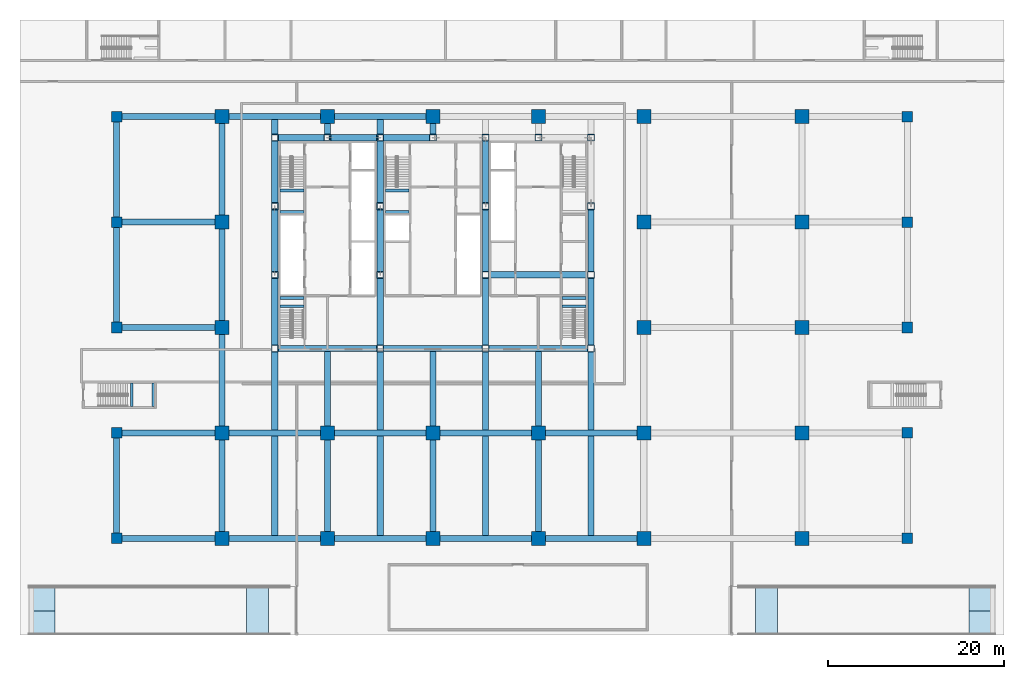
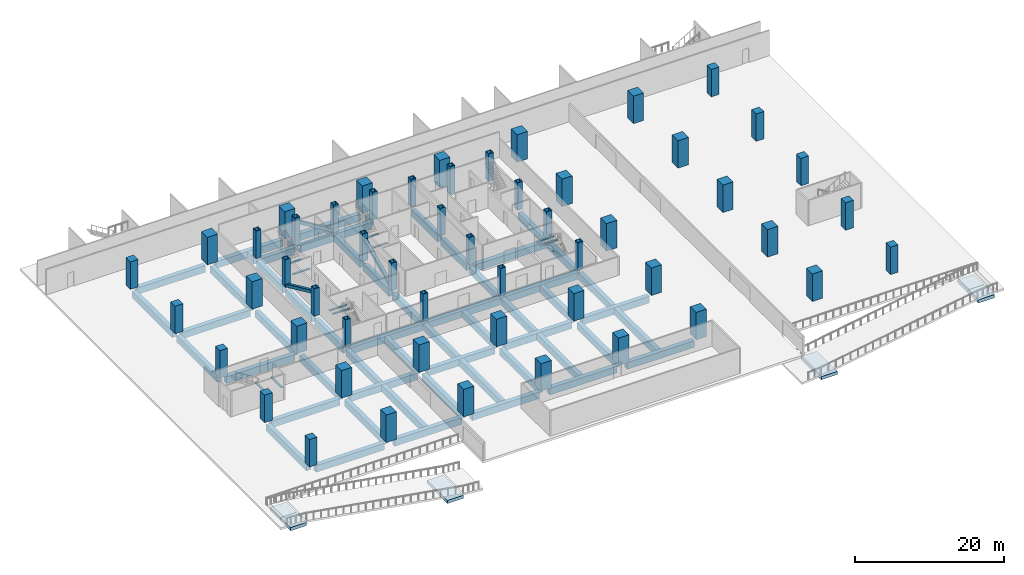
# One storey, part 1 of 15: 68 beams, 53 columns, 6 footings, 3 members.
"""IFC4 building model written with IfcOpenShell, lengths in metres."""

from ifc_helpers import new_model, si_unit, direction, frame, origin, origin_2d, place, context, subcontext, project, spatial, polyline, rectangle, hollow_rectangle, outline, extrude, material, layer, layer_set, material_profile, profile_set, type_object, element, save


model = new_model("IFC4")

# Units and contexts
model_context = context("Model", 3, precision=1e-05, world=origin(), true_north=direction((0.0, 1.0)))
body_context = subcontext(model_context, "Body", "Model", "MODEL_VIEW")
ifc_project = project(units=[si_unit("LENGTHUNIT", "METRE"), si_unit("AREAUNIT", "SQUARE_METRE"), si_unit("VOLUMEUNIT", "CUBIC_METRE"), si_unit("PLANEANGLEUNIT", "RADIAN"), si_unit("MASSUNIT", "GRAM", prefix="KILO")], contexts=[model_context])

# Site, building, storey
site_placement = place(None, origin())
site = spatial("IfcSite", under=ifc_project, at=site_placement, CompositionType="ELEMENT")
building_placement = place(site_placement, origin())
building = spatial("IfcBuilding", under=site, at=building_placement, Name="Sorahane Residences", CompositionType="ELEMENT")
storey_placement = place(building_placement, frame((0.0, 0.0, -4.5)))
storey = spatial("IfcBuildingStorey", under=building, at=storey_placement, Name="B1", CompositionType="ELEMENT", Elevation=-4.5)

# Footings
ifc_material_1 = material(Name="Concrete C35", Category="concrete")
ifc_layer = layer(ifc_material_1, 0.5)
ifc_layer_set = layer_set([ifc_layer], Name="Ramp bearing strip 500 mm Concrete C35")
footing_type = type_object("IfcFootingType", Name="Ramp bearing strip 500 mm Concrete C35", PredefinedType="STRIP_FOOTING", material=ifc_layer_set)
footing_1_placement = place(storey_placement, frame((0.0, 0.0, -1.0)))
element("IfcFooting", 1, at=footing_1_placement, inside=storey, type_object=footing_type, Name="Ramp bearing strip", PredefinedType="STRIP_FOOTING", context=body_context, shape_type="SweptSolid", body=[
    extrude(outline(polyline([(85.0, -11.0), (87.5, -11.0), (87.5, -8.25), (85.0, -8.25), (85.0, -11.0)])), origin(), (0.0, 0.0, 1.0), 0.5),
])
footing_2_placement = place(storey_placement, frame((0.0, 0.0, -1.0)))
element("IfcFooting", 2, at=footing_2_placement, inside=storey, type_object=footing_type, Name="Ramp bearing strip", PredefinedType="STRIP_FOOTING", context=body_context, shape_type="SweptSolid", body=[
    extrude(outline(polyline([(85.0, -8.25), (87.5, -8.25), (87.5, -5.5), (85.0, -5.5), (85.0, -8.25)])), origin(), (0.0, 0.0, 1.0), 0.5),
])
footing_3_placement = place(storey_placement, frame((0.0, 0.0, -5.050048828125)))
element("IfcFooting", 3, at=footing_3_placement, inside=storey, type_object=footing_type, Name="Ramp bearing strip", PredefinedType="STRIP_FOOTING", context=body_context, shape_type="SweptSolid", body=[
    extrude(outline(polyline([(60.699951171875, -11.0), (63.199951171875, -11.0), (63.199951171875, -5.5), (60.699951171875, -5.5), (60.699951171875, -11.0)])), origin(), (0.0, 0.0, 1.0), 0.5),
])
footing_4_placement = place(storey_placement, frame((0.0, 0.0, -1.0)))
element("IfcFooting", 4, at=footing_4_placement, inside=storey, type_object=footing_type, Name="Ramp bearing strip", PredefinedType="STRIP_FOOTING", context=body_context, shape_type="SweptSolid", body=[
    extrude(outline(polyline([(-21.5, -11.0), (-19.0, -11.0), (-19.0, -8.25), (-21.5, -8.25), (-21.5, -11.0)])), origin(), (0.0, 0.0, 1.0), 0.5),
])
footing_5_placement = place(storey_placement, frame((0.0, 0.0, -1.0)))
element("IfcFooting", 5, at=footing_5_placement, inside=storey, type_object=footing_type, Name="Ramp bearing strip", PredefinedType="STRIP_FOOTING", context=body_context, shape_type="SweptSolid", body=[
    extrude(outline(polyline([(-21.5, -8.25), (-19.0, -8.25), (-19.0, -5.5), (-21.5, -5.5), (-21.5, -8.25)])), origin(), (0.0, 0.0, 1.0), 0.5),
])
footing_6_placement = place(storey_placement, frame((0.0, 0.0, -5.050048828125)))
element("IfcFooting", 6, at=footing_6_placement, inside=storey, type_object=footing_type, Name="Ramp bearing strip", PredefinedType="STRIP_FOOTING", context=body_context, shape_type="SweptSolid", body=[
    extrude(outline(polyline([(2.800048828125, -11.0), (5.300048828125, -11.0), (5.300048828125, -5.5), (2.800048828125, -5.5), (2.800048828125, -11.0)])), origin(), (0.0, 0.0, 1.0), 0.5),
])

# Columns
ifc_material_2 = material(Name="Concrete C60", Category="concrete")
ifc_material_profile_1 = material_profile(ifc_material_2, rectangle(XDim=1.199951171875, YDim=1.199951171875, at=origin_2d()), Name="1200x1200")
ifc_profile_set_1 = profile_set([ifc_material_profile_1], Name="Concrete C60")
column_type_1 = type_object("IfcColumnType", Name="RC column 1200 x 1200 Concrete C60", PredefinedType="COLUMN", material=ifc_profile_set_1)
for number, where, z_axis, x_axis, name in (
    (7, (-12.0, 0.0, 0.0), (0.0, 0.0, 1.0), (1.0, 0.0, 0.0), "Column B1 m12/0"),
    (8, (-12.0, 12.0, 0.0), (0.0, 0.0, 1.0), (1.0, 0.0, 0.0), "Column B1 m12/12"),
    (9, (-12.0, 24.0, 0.0), (0.0, 0.0, 1.0), (1.0, 0.0, 0.0), "Column B1 m12/24"),
    (10, (-12.0, 36.0, 0.0), (0.0, 0.0, 1.0), (1.0, 0.0, 0.0), "Column B1 m12/36"),
    (11, (-12.0, 48.0, 0.0), (0.0, 0.0, 1.0), (1.0, 0.0, 0.0), "Column B1 m12/48"),
    (12, (78.0, 0.0, 0.0), (0.0, 0.0, 1.0), (1.0, 0.0, 0.0), "Column B1 78/0"),
    (13, (78.0, 12.0, 0.0), (0.0, 0.0, 1.0), (1.0, 0.0, 0.0), "Column B1 78/12"),
    (14, (78.0, 24.0, 0.0), (0.0, 0.0, 1.0), (1.0, 0.0, 0.0), "Column B1 78/24"),
    (15, (78.0, 36.0, 0.0), (0.0, 0.0, 1.0), (1.0, 0.0, 0.0), "Column B1 78/36"),
    (16, (78.0, 48.0, 0.0), (0.0, 0.0, 1.0), (1.0, 0.0, 0.0), "Column B1 78/48"),
):
    element("IfcColumn", number, at=place(storey_placement, frame(where, z_axis=z_axis, x_axis=x_axis)), inside=storey, type_object=column_type_1, Name=name, PredefinedType="COLUMN", context=body_context, shape_type="SweptSolid", body=[
        extrude(rectangle(XDim=1.199951171875, YDim=1.199951171875, at=origin_2d()), origin(), (0.0, 0.0, 1.0), 4.5),
    ])
ifc_material_3 = material(Name="Concrete C60", Category="concrete")
ifc_material_profile_2 = material_profile(ifc_material_3, rectangle(XDim=1.60009765625, YDim=1.60009765625, at=origin_2d()), Name="1600x1600")
ifc_profile_set_2 = profile_set([ifc_material_profile_2], Name="Concrete C60")
column_type_2 = type_object("IfcColumnType", Name="RC column 1600 x 1600 Concrete C60", PredefinedType="COLUMN", material=ifc_profile_set_2)
for number, where, z_axis, x_axis, name in (
    (17, (0.0, 0.0, 0.0), (0.0, 0.0, 1.0), (1.0, 0.0, 0.0), "Column B1 0/0"),
    (18, (0.0, 12.0, 0.0), (0.0, 0.0, 1.0), (1.0, 0.0, 0.0), "Column B1 0/12"),
    (19, (0.0, 24.0, 0.0), (0.0, 0.0, 1.0), (1.0, 0.0, 0.0), "Column B1 0/24"),
    (20, (0.0, 36.0, 0.0), (0.0, 0.0, 1.0), (1.0, 0.0, 0.0), "Column B1 0/36"),
    (21, (0.0, 48.0, 0.0), (0.0, 0.0, 1.0), (1.0, 0.0, 0.0), "Column B1 0/48"),
    (22, (12.0, 0.0, 0.0), (0.0, 0.0, 1.0), (1.0, 0.0, 0.0), "Column B1 12/0"),
    (23, (12.0, 12.0, 0.0), (0.0, 0.0, 1.0), (1.0, 0.0, 0.0), "Column B1 12/12"),
    (24, (12.0, 48.0, 0.0), (0.0, 0.0, 1.0), (1.0, 0.0, 0.0), "Column B1 12/48"),
    (25, (24.0, 0.0, 0.0), (0.0, 0.0, 1.0), (1.0, 0.0, 0.0), "Column B1 24/0"),
    (26, (24.0, 12.0, 0.0), (0.0, 0.0, 1.0), (1.0, 0.0, 0.0), "Column B1 24/12"),
    (27, (24.0, 48.0, 0.0), (0.0, 0.0, 1.0), (1.0, 0.0, 0.0), "Column B1 24/48"),
    (28, (36.0, 0.0, 0.0), (0.0, 0.0, 1.0), (1.0, 0.0, 0.0), "Column B1 36/0"),
    (29, (36.0, 12.0, 0.0), (0.0, 0.0, 1.0), (1.0, 0.0, 0.0), "Column B1 36/12"),
    (30, (36.0, 48.0, 0.0), (0.0, 0.0, 1.0), (1.0, 0.0, 0.0), "Column B1 36/48"),
    (31, (48.0, 0.0, 0.0), (0.0, 0.0, 1.0), (1.0, 0.0, 0.0), "Column B1 48/0"),
    (32, (48.0, 12.0, 0.0), (0.0, 0.0, 1.0), (1.0, 0.0, 0.0), "Column B1 48/12"),
    (33, (48.0, 24.0, 0.0), (0.0, 0.0, 1.0), (1.0, 0.0, 0.0), "Column B1 48/24"),
    (34, (48.0, 36.0, 0.0), (0.0, 0.0, 1.0), (1.0, 0.0, 0.0), "Column B1 48/36"),
    (35, (48.0, 48.0, 0.0), (0.0, 0.0, 1.0), (1.0, 0.0, 0.0), "Column B1 48/48"),
    (36, (66.0, 0.0, 0.0), (0.0, 0.0, 1.0), (1.0, 0.0, 0.0), "Column B1 66/0"),
    (37, (66.0, 12.0, 0.0), (0.0, 0.0, 1.0), (1.0, 0.0, 0.0), "Column B1 66/12"),
    (38, (66.0, 24.0, 0.0), (0.0, 0.0, 1.0), (1.0, 0.0, 0.0), "Column B1 66/24"),
    (39, (66.0, 36.0, 0.0), (0.0, 0.0, 1.0), (1.0, 0.0, 0.0), "Column B1 66/36"),
    (40, (66.0, 48.0, 0.0), (0.0, 0.0, 1.0), (1.0, 0.0, 0.0), "Column B1 66/48"),
):
    element("IfcColumn", number, at=place(storey_placement, frame(where, z_axis=z_axis, x_axis=x_axis)), inside=storey, type_object=column_type_2, Name=name, PredefinedType="COLUMN", context=body_context, shape_type="SweptSolid", body=[
        extrude(rectangle(XDim=1.60009765625, YDim=1.60009765625, at=origin_2d()), origin(), (0.0, 0.0, 1.0), 4.5),
    ])
ifc_material_4 = material(Name="Steel Q420GJ", Category="steel")
ifc_material_profile_3 = material_profile(ifc_material_4, hollow_rectangle(XDim=0.800048828125, YDim=0.800048828125, WallThickness=0.070068359375, at=origin_2d()), Name="BOX 800x800x70")
ifc_profile_set_3 = profile_set([ifc_material_profile_3], Name="Steel Q420GJ")
column_type_3 = type_object("IfcColumnType", Name="Steel box column BOX 800x800x70 Q420GJ", PredefinedType="COLUMN", material=ifc_profile_set_3)
for number, where, z_axis, x_axis, name in (
    (41, (6.0, 21.60009765625, 0.0), (0.0, 0.0, 1.0), (1.0, 0.0, 0.0), "Column B1 6/21.6"),
    (42, (6.0, 30.0, 0.0), (0.0, 0.0, 1.0), (1.0, 0.0, 0.0), "Column B1 6/30"),
    (43, (6.0, 37.800048828125, 0.0), (0.0, 0.0, 1.0), (1.0, 0.0, 0.0), "Column B1 6/37.8"),
    (44, (6.0, 45.60009765625, 0.0), (0.0, 0.0, 1.0), (1.0, 0.0, 0.0), "Column B1 6/45.6"),
    (45, (12.0, 45.60009765625, 0.0), (0.0, 0.0, 1.0), (1.0, 0.0, 0.0), "Column B1 12/45.6"),
    (46, (18.0, 21.60009765625, 0.0), (0.0, 0.0, 1.0), (1.0, 0.0, 0.0), "Column B1 18/21.6"),
    (47, (18.0, 30.0, 0.0), (0.0, 0.0, 1.0), (1.0, 0.0, 0.0), "Column B1 18/30"),
    (48, (18.0, 37.800048828125, 0.0), (0.0, 0.0, 1.0), (1.0, 0.0, 0.0), "Column B1 18/37.8"),
    (49, (18.0, 45.60009765625, 0.0), (0.0, 0.0, 1.0), (1.0, 0.0, 0.0), "Column B1 18/45.6"),
    (50, (24.0, 45.60009765625, 0.0), (0.0, 0.0, 1.0), (1.0, 0.0, 0.0), "Column B1 24/45.6"),
    (51, (30.0, 21.60009765625, 0.0), (0.0, 0.0, 1.0), (1.0, 0.0, 0.0), "Column B1 30/21.6"),
    (52, (30.0, 30.0, 0.0), (0.0, 0.0, 1.0), (1.0, 0.0, 0.0), "Column B1 30/30"),
    (53, (30.0, 37.800048828125, 0.0), (0.0, 0.0, 1.0), (1.0, 0.0, 0.0), "Column B1 30/37.8"),
    (54, (30.0, 45.60009765625, 0.0), (0.0, 0.0, 1.0), (1.0, 0.0, 0.0), "Column B1 30/45.6"),
    (55, (36.0, 45.60009765625, 0.0), (0.0, 0.0, 1.0), (1.0, 0.0, 0.0), "Column B1 36/45.6"),
    (56, (42.0, 21.60009765625, 0.0), (0.0, 0.0, 1.0), (1.0, 0.0, 0.0), "Column B1 42/21.6"),
    (57, (42.0, 30.0, 0.0), (0.0, 0.0, 1.0), (1.0, 0.0, 0.0), "Column B1 42/30"),
    (58, (42.0, 37.800048828125, 0.0), (0.0, 0.0, 1.0), (1.0, 0.0, 0.0), "Column B1 42/37.8"),
    (59, (42.0, 45.60009765625, 0.0), (0.0, 0.0, 1.0), (1.0, 0.0, 0.0), "Column B1 42/45.6"),
):
    element("IfcColumn", number, at=place(storey_placement, frame(where, z_axis=z_axis, x_axis=x_axis)), inside=storey, type_object=column_type_3, Name=name, PredefinedType="COLUMN", context=body_context, shape_type="SweptSolid", body=[
        extrude(hollow_rectangle(XDim=0.800048828125, YDim=0.800048828125, WallThickness=0.070068359375, at=origin_2d()), origin(), (0.0, 0.0, 1.0), 4.5),
    ])

# Members
ifc_material_5 = material(Name="Steel Q355B", Category="steel")
ifc_material_profile_4 = material_profile(ifc_material_5, hollow_rectangle(XDim=0.5, YDim=0.5, WallThickness=0.02490234375, InnerFilletRadius=0.012451171875, OuterFilletRadius=0.03759765625, at=origin_2d()), Name="RHS 500x500x25")
ifc_profile_set_4 = profile_set([ifc_material_profile_4], Name="Steel Q355B")
member_type = type_object("IfcMemberType", Name="Core brace RHS 500x500x25 Q355B", PredefinedType="BRACE", material=ifc_profile_set_4)
member_placement = place(storey_placement, frame((17.678466796875, 45.60009765625, 0.201904296875), z_axis=(-0.852399074137, 0.0, 0.522891784608), x_axis=(0.0, -1.0, 0.0)))
element("IfcMember", 60, at=member_placement, inside=storey, type_object=member_type, Name="Core brace B1 y45.6-2", PredefinedType="BRACE", context=body_context, shape_type="SweptSolid", body=[
    extrude(hollow_rectangle(XDim=0.5, YDim=0.5, WallThickness=0.02490234375, InnerFilletRadius=0.012451171875, OuterFilletRadius=0.03759765625, at=origin_2d()), origin(), (0.0, 0.0, 1.0), 6.284423828125),
])
for number, where, z_axis, x_axis, name in (
    (61, (6.0, 37.462158203125, 0.2216796875), (0.0, -0.909967717614, 0.41467909629), (1.0, 0.0, 0.0), "Core brace B1 x6-2"),
    (62, (18.0, 30.337890625, 0.2216796875), (0.0, 0.909967717614, 0.41467909629), (-1.0, 0.0, 0.0), "Core brace B1 x18-1"),
):
    element("IfcMember", number, at=place(storey_placement, frame(where, z_axis=z_axis, x_axis=x_axis)), inside=storey, type_object=member_type, Name=name, PredefinedType="BRACE", context=body_context, shape_type="SweptSolid", body=[
        extrude(hollow_rectangle(XDim=0.5, YDim=0.5, WallThickness=0.02490234375, InnerFilletRadius=0.012451171875, OuterFilletRadius=0.03759765625, at=origin_2d()), origin(), (0.0, 0.0, 1.0), 7.8291015625),
    ])

# Beams
ifc_material_6 = material(Name="Concrete C40", Category="concrete")
ifc_material_profile_5 = material_profile(ifc_material_6, rectangle(XDim=0.699951171875, YDim=1.10009765625, at=origin_2d()), Name="700x1100")
ifc_profile_set_5 = profile_set([ifc_material_profile_5], Name="Concrete C40")
beam_type_1 = type_object("IfcBeamType", Name="RC beam 700 x 1100 Concrete C40", PredefinedType="BEAM", material=ifc_profile_set_5)
beam_1_placement = place(storey_placement, frame((-11.39990234375, 0.0, -0.909912109375), z_axis=(1.0, 0.0, 0.0), x_axis=(0.0, 1.0, 0.0)))
element("IfcBeam", 63, at=beam_1_placement, inside=storey, type_object=beam_type_1, Name="Beam B1 000", PredefinedType="BEAM", context=body_context, shape_type="SweptSolid", body=[
    extrude(rectangle(XDim=0.699951171875, YDim=1.10009765625, at=origin_2d()), origin(), (0.0, 0.0, 1.0), 10.599853515625),
])
for number, where, z_axis, x_axis, name in (
    (64, (0.800048828125, 0.0, -0.909912109375), (1.0, 0.0, 0.0), (0.0, 1.0, 0.0), "Beam B1 001"),
    (65, (12.800048828125, 0.0, -0.909912109375), (1.0, 0.0, 0.0), (0.0, 1.0, 0.0), "Beam B1 002"),
    (66, (24.800048828125, 0.0, -0.909912109375), (1.0, 0.0, 0.0), (0.0, 1.0, 0.0), "Beam B1 003"),
    (67, (36.800048828125, 0.0, -0.909912109375), (1.0, 0.0, 0.0), (0.0, 1.0, 0.0), "Beam B1 004"),
):
    element("IfcBeam", number, at=place(storey_placement, frame(where, z_axis=z_axis, x_axis=x_axis)), inside=storey, type_object=beam_type_1, Name=name, PredefinedType="BEAM", context=body_context, shape_type="SweptSolid", body=[
        extrude(rectangle(XDim=0.699951171875, YDim=1.10009765625, at=origin_2d()), origin(), (0.0, 0.0, 1.0), 10.39990234375),
    ])
beam_2_placement = place(storey_placement, frame((-11.39990234375, 12.0, -0.909912109375), z_axis=(1.0, 0.0, 0.0), x_axis=(0.0, 1.0, 0.0)))
element("IfcBeam", 68, at=beam_2_placement, inside=storey, type_object=beam_type_1, Name="Beam B1 007", PredefinedType="BEAM", context=body_context, shape_type="SweptSolid", body=[
    extrude(rectangle(XDim=0.699951171875, YDim=1.10009765625, at=origin_2d()), origin(), (0.0, 0.0, 1.0), 10.599853515625),
])
for number, where, z_axis, x_axis, name in (
    (69, (0.800048828125, 12.0, -0.909912109375), (1.0, 0.0, 0.0), (0.0, 1.0, 0.0), "Beam B1 008"),
    (70, (12.800048828125, 12.0, -0.909912109375), (1.0, 0.0, 0.0), (0.0, 1.0, 0.0), "Beam B1 009"),
    (71, (24.800048828125, 12.0, -0.909912109375), (1.0, 0.0, 0.0), (0.0, 1.0, 0.0), "Beam B1 010"),
    (72, (36.800048828125, 12.0, -0.909912109375), (1.0, 0.0, 0.0), (0.0, 1.0, 0.0), "Beam B1 011"),
):
    element("IfcBeam", number, at=place(storey_placement, frame(where, z_axis=z_axis, x_axis=x_axis)), inside=storey, type_object=beam_type_1, Name=name, PredefinedType="BEAM", context=body_context, shape_type="SweptSolid", body=[
        extrude(rectangle(XDim=0.699951171875, YDim=1.10009765625, at=origin_2d()), origin(), (0.0, 0.0, 1.0), 10.39990234375),
    ])
for number, where, z_axis, x_axis, name in (
    (73, (-11.39990234375, 24.0, -0.909912109375), (1.0, 0.0, 0.0), (0.0, 1.0, 0.0), "Beam B1 014"),
    (74, (-11.39990234375, 36.0, -0.909912109375), (1.0, 0.0, 0.0), (0.0, 1.0, 0.0), "Beam B1 017"),
    (75, (-11.39990234375, 48.0, -0.909912109375), (1.0, 0.0, 0.0), (0.0, 1.0, 0.0), "Beam B1 020"),
):
    element("IfcBeam", number, at=place(storey_placement, frame(where, z_axis=z_axis, x_axis=x_axis)), inside=storey, type_object=beam_type_1, Name=name, PredefinedType="BEAM", context=body_context, shape_type="SweptSolid", body=[
        extrude(rectangle(XDim=0.699951171875, YDim=1.10009765625, at=origin_2d()), origin(), (0.0, 0.0, 1.0), 10.599853515625),
    ])
for number, where, z_axis, x_axis, name in (
    (76, (0.800048828125, 48.0, -0.909912109375), (1.0, 0.0, 0.0), (0.0, 1.0, 0.0), "Beam B1 021"),
    (77, (12.800048828125, 48.0, -0.909912109375), (1.0, 0.0, 0.0), (0.0, 1.0, 0.0), "Beam B1 022"),
):
    element("IfcBeam", number, at=place(storey_placement, frame(where, z_axis=z_axis, x_axis=x_axis)), inside=storey, type_object=beam_type_1, Name=name, PredefinedType="BEAM", context=body_context, shape_type="SweptSolid", body=[
        extrude(rectangle(XDim=0.699951171875, YDim=1.10009765625, at=origin_2d()), origin(), (0.0, 0.0, 1.0), 10.39990234375),
    ])
for number, where, z_axis, x_axis, name in (
    (78, (6.39990234375, 21.60009765625, -0.909912109375), (1.0, 0.0, 0.0), (0.0, 1.0, 0.0), "Beam B1 027"),
    (79, (18.39990234375, 21.60009765625, -0.909912109375), (1.0, 0.0, 0.0), (0.0, 1.0, 0.0), "Beam B1 028"),
    (80, (30.39990234375, 21.60009765625, -0.909912109375), (1.0, 0.0, 0.0), (0.0, 1.0, 0.0), "Beam B1 029"),
    (81, (30.39990234375, 30.0, -0.909912109375), (1.0, 0.0, 0.0), (0.0, 1.0, 0.0), "Beam B1 030"),
):
    element("IfcBeam", number, at=place(storey_placement, frame(where, z_axis=z_axis, x_axis=x_axis)), inside=storey, type_object=beam_type_1, Name=name, PredefinedType="BEAM", context=body_context, shape_type="SweptSolid", body=[
        extrude(rectangle(XDim=0.699951171875, YDim=1.10009765625, at=origin_2d()), origin(), (0.0, 0.0, 1.0), 11.2001953125),
    ])
for number, where, z_axis, x_axis, name in (
    (82, (6.39990234375, 45.60009765625, -0.909912109375), (1.0, 0.0, 0.0), (0.0, 1.0, 0.0), "Beam B1 031"),
    (83, (12.39990234375, 45.60009765625, -0.909912109375), (1.0, 0.0, 0.0), (0.0, 1.0, 0.0), "Beam B1 032"),
    (84, (18.39990234375, 45.60009765625, -0.909912109375), (1.0, 0.0, 0.0), (0.0, 1.0, 0.0), "Beam B1 033"),
):
    element("IfcBeam", number, at=place(storey_placement, frame(where, z_axis=z_axis, x_axis=x_axis)), inside=storey, type_object=beam_type_1, Name=name, PredefinedType="BEAM", context=body_context, shape_type="SweptSolid", body=[
        extrude(rectangle(XDim=0.699951171875, YDim=1.10009765625, at=origin_2d()), origin(), (0.0, 0.0, 1.0), 5.2001953125),
    ])
for number, where, z_axis, x_axis, name in (
    (85, (-12.0, 0.60009765625, -0.909912109375), (0.0, 1.0, 0.0), (-1.0, 0.0, 0.0), "Beam B1 037"),
    (86, (-12.0, 24.60009765625, -0.909912109375), (0.0, 1.0, 0.0), (-1.0, 0.0, 0.0), "Beam B1 038"),
    (87, (-12.0, 36.60009765625, -0.909912109375), (0.0, 1.0, 0.0), (-1.0, 0.0, 0.0), "Beam B1 039"),
):
    element("IfcBeam", number, at=place(storey_placement, frame(where, z_axis=z_axis, x_axis=x_axis)), inside=storey, type_object=beam_type_1, Name=name, PredefinedType="BEAM", context=body_context, shape_type="SweptSolid", body=[
        extrude(rectangle(XDim=0.699951171875, YDim=1.10009765625, at=origin_2d()), origin(), (0.0, 0.0, 1.0), 10.7998046875),
    ])
for number, where, z_axis, x_axis, name in (
    (88, (0.0, 0.800048828125, -0.909912109375), (0.0, 1.0, 0.0), (-1.0, 0.0, 0.0), "Beam B1 040"),
    (89, (0.0, 12.800048828125, -0.909912109375), (0.0, 1.0, 0.0), (-1.0, 0.0, 0.0), "Beam B1 041"),
    (90, (0.0, 24.800048828125, -0.909912109375), (0.0, 1.0, 0.0), (-1.0, 0.0, 0.0), "Beam B1 042"),
    (91, (0.0, 36.800048828125, -0.909912109375), (0.0, 1.0, 0.0), (-1.0, 0.0, 0.0), "Beam B1 043"),
    (92, (12.0, 0.800048828125, -0.909912109375), (0.0, 1.0, 0.0), (-1.0, 0.0, 0.0), "Beam B1 044"),
):
    element("IfcBeam", number, at=place(storey_placement, frame(where, z_axis=z_axis, x_axis=x_axis)), inside=storey, type_object=beam_type_1, Name=name, PredefinedType="BEAM", context=body_context, shape_type="SweptSolid", body=[
        extrude(rectangle(XDim=0.699951171875, YDim=1.10009765625, at=origin_2d()), origin(), (0.0, 0.0, 1.0), 10.39990234375),
    ])
beam_3_placement = place(storey_placement, frame((12.0, 12.800048828125, -0.909912109375), z_axis=(0.0, 1.0, 0.0), x_axis=(-1.0, 0.0, 0.0)))
element("IfcBeam", 93, at=beam_3_placement, inside=storey, type_object=beam_type_1, Name="Beam B1 045", PredefinedType="BEAM", context=body_context, shape_type="SweptSolid", body=[
    extrude(rectangle(XDim=0.699951171875, YDim=1.10009765625, at=origin_2d()), origin(), (0.0, 0.0, 1.0), 8.449951171875),
])
beam_4_placement = place(storey_placement, frame((12.0, 46.0, -0.909912109375), z_axis=(0.0, 1.0, 0.0), x_axis=(-1.0, 0.0, 0.0)))
element("IfcBeam", 94, at=beam_4_placement, inside=storey, type_object=beam_type_1, Name="Beam B1 046", PredefinedType="BEAM", context=body_context, shape_type="SweptSolid", body=[
    extrude(rectangle(XDim=0.699951171875, YDim=1.10009765625, at=origin_2d()), origin(), (0.0, 0.0, 1.0), 1.199951171875),
])
beam_5_placement = place(storey_placement, frame((24.0, 0.800048828125, -0.909912109375), z_axis=(0.0, 1.0, 0.0), x_axis=(-1.0, 0.0, 0.0)))
element("IfcBeam", 95, at=beam_5_placement, inside=storey, type_object=beam_type_1, Name="Beam B1 047", PredefinedType="BEAM", context=body_context, shape_type="SweptSolid", body=[
    extrude(rectangle(XDim=0.699951171875, YDim=1.10009765625, at=origin_2d()), origin(), (0.0, 0.0, 1.0), 10.39990234375),
])
beam_6_placement = place(storey_placement, frame((24.0, 12.800048828125, -0.909912109375), z_axis=(0.0, 1.0, 0.0), x_axis=(-1.0, 0.0, 0.0)))
element("IfcBeam", 96, at=beam_6_placement, inside=storey, type_object=beam_type_1, Name="Beam B1 048", PredefinedType="BEAM", context=body_context, shape_type="SweptSolid", body=[
    extrude(rectangle(XDim=0.699951171875, YDim=1.10009765625, at=origin_2d()), origin(), (0.0, 0.0, 1.0), 8.449951171875),
])
beam_7_placement = place(storey_placement, frame((24.0, 46.0, -0.909912109375), z_axis=(0.0, 1.0, 0.0), x_axis=(-1.0, 0.0, 0.0)))
element("IfcBeam", 97, at=beam_7_placement, inside=storey, type_object=beam_type_1, Name="Beam B1 049", PredefinedType="BEAM", context=body_context, shape_type="SweptSolid", body=[
    extrude(rectangle(XDim=0.699951171875, YDim=1.10009765625, at=origin_2d()), origin(), (0.0, 0.0, 1.0), 1.199951171875),
])
beam_8_placement = place(storey_placement, frame((36.0, 0.800048828125, -0.909912109375), z_axis=(0.0, 1.0, 0.0), x_axis=(-1.0, 0.0, 0.0)))
element("IfcBeam", 98, at=beam_8_placement, inside=storey, type_object=beam_type_1, Name="Beam B1 050", PredefinedType="BEAM", context=body_context, shape_type="SweptSolid", body=[
    extrude(rectangle(XDim=0.699951171875, YDim=1.10009765625, at=origin_2d()), origin(), (0.0, 0.0, 1.0), 10.39990234375),
])
beam_9_placement = place(storey_placement, frame((36.0, 12.800048828125, -0.909912109375), z_axis=(0.0, 1.0, 0.0), x_axis=(-1.0, 0.0, 0.0)))
element("IfcBeam", 99, at=beam_9_placement, inside=storey, type_object=beam_type_1, Name="Beam B1 051", PredefinedType="BEAM", context=body_context, shape_type="SweptSolid", body=[
    extrude(rectangle(XDim=0.699951171875, YDim=1.10009765625, at=origin_2d()), origin(), (0.0, 0.0, 1.0), 8.449951171875),
])
beam_10_placement = place(storey_placement, frame((6.0, 0.35009765625, -0.909912109375), z_axis=(0.0, 1.0, 0.0), x_axis=(-1.0, 0.0, 0.0)))
element("IfcBeam", 100, at=beam_10_placement, inside=storey, type_object=beam_type_1, Name="Beam B1 064", PredefinedType="BEAM", context=body_context, shape_type="SweptSolid", body=[
    extrude(rectangle(XDim=0.699951171875, YDim=1.10009765625, at=origin_2d()), origin(), (0.0, 0.0, 1.0), 11.2998046875),
])
beam_11_placement = place(storey_placement, frame((6.0, 12.35009765625, -0.909912109375), z_axis=(0.0, 1.0, 0.0), x_axis=(-1.0, 0.0, 0.0)))
element("IfcBeam", 101, at=beam_11_placement, inside=storey, type_object=beam_type_1, Name="Beam B1 065", PredefinedType="BEAM", context=body_context, shape_type="SweptSolid", body=[
    extrude(rectangle(XDim=0.699951171875, YDim=1.10009765625, at=origin_2d()), origin(), (0.0, 0.0, 1.0), 8.849853515625),
])
beam_12_placement = place(storey_placement, frame((6.0, 22.0, -0.909912109375), z_axis=(0.0, 1.0, 0.0), x_axis=(-1.0, 0.0, 0.0)))
element("IfcBeam", 102, at=beam_12_placement, inside=storey, type_object=beam_type_1, Name="Beam B1 066", PredefinedType="BEAM", context=body_context, shape_type="SweptSolid", body=[
    extrude(rectangle(XDim=0.699951171875, YDim=1.10009765625, at=origin_2d()), origin(), (0.0, 0.0, 1.0), 7.60009765625),
])
for number, where, z_axis, x_axis, name in (
    (103, (6.0, 30.39990234375, -0.909912109375), (0.0, 1.0, 0.0), (-1.0, 0.0, 0.0), "Beam B1 067"),
    (104, (6.0, 38.199951171875, -0.909912109375), (0.0, 1.0, 0.0), (-1.0, 0.0, 0.0), "Beam B1 068"),
):
    element("IfcBeam", number, at=place(storey_placement, frame(where, z_axis=z_axis, x_axis=x_axis)), inside=storey, type_object=beam_type_1, Name=name, PredefinedType="BEAM", context=body_context, shape_type="SweptSolid", body=[
        extrude(rectangle(XDim=0.699951171875, YDim=1.10009765625, at=origin_2d()), origin(), (0.0, 0.0, 1.0), 7.0),
    ])
beam_13_placement = place(storey_placement, frame((6.0, 46.0, -0.909912109375), z_axis=(0.0, 1.0, 0.0), x_axis=(-1.0, 0.0, 0.0)))
element("IfcBeam", 105, at=beam_13_placement, inside=storey, type_object=beam_type_1, Name="Beam B1 069", PredefinedType="BEAM", context=body_context, shape_type="SweptSolid", body=[
    extrude(rectangle(XDim=0.699951171875, YDim=1.10009765625, at=origin_2d()), origin(), (0.0, 0.0, 1.0), 1.64990234375),
])
beam_14_placement = place(storey_placement, frame((18.0, 0.35009765625, -0.909912109375), z_axis=(0.0, 1.0, 0.0), x_axis=(-1.0, 0.0, 0.0)))
element("IfcBeam", 106, at=beam_14_placement, inside=storey, type_object=beam_type_1, Name="Beam B1 070", PredefinedType="BEAM", context=body_context, shape_type="SweptSolid", body=[
    extrude(rectangle(XDim=0.699951171875, YDim=1.10009765625, at=origin_2d()), origin(), (0.0, 0.0, 1.0), 11.2998046875),
])
beam_15_placement = place(storey_placement, frame((18.0, 12.35009765625, -0.909912109375), z_axis=(0.0, 1.0, 0.0), x_axis=(-1.0, 0.0, 0.0)))
element("IfcBeam", 107, at=beam_15_placement, inside=storey, type_object=beam_type_1, Name="Beam B1 071", PredefinedType="BEAM", context=body_context, shape_type="SweptSolid", body=[
    extrude(rectangle(XDim=0.699951171875, YDim=1.10009765625, at=origin_2d()), origin(), (0.0, 0.0, 1.0), 8.849853515625),
])
beam_16_placement = place(storey_placement, frame((18.0, 22.0, -0.909912109375), z_axis=(0.0, 1.0, 0.0), x_axis=(-1.0, 0.0, 0.0)))
element("IfcBeam", 108, at=beam_16_placement, inside=storey, type_object=beam_type_1, Name="Beam B1 072", PredefinedType="BEAM", context=body_context, shape_type="SweptSolid", body=[
    extrude(rectangle(XDim=0.699951171875, YDim=1.10009765625, at=origin_2d()), origin(), (0.0, 0.0, 1.0), 7.60009765625),
])
for number, where, z_axis, x_axis, name in (
    (109, (18.0, 30.39990234375, -0.909912109375), (0.0, 1.0, 0.0), (-1.0, 0.0, 0.0), "Beam B1 073"),
    (110, (18.0, 38.199951171875, -0.909912109375), (0.0, 1.0, 0.0), (-1.0, 0.0, 0.0), "Beam B1 074"),
):
    element("IfcBeam", number, at=place(storey_placement, frame(where, z_axis=z_axis, x_axis=x_axis)), inside=storey, type_object=beam_type_1, Name=name, PredefinedType="BEAM", context=body_context, shape_type="SweptSolid", body=[
        extrude(rectangle(XDim=0.699951171875, YDim=1.10009765625, at=origin_2d()), origin(), (0.0, 0.0, 1.0), 7.0),
    ])
beam_17_placement = place(storey_placement, frame((18.0, 46.0, -0.909912109375), z_axis=(0.0, 1.0, 0.0), x_axis=(-1.0, 0.0, 0.0)))
element("IfcBeam", 111, at=beam_17_placement, inside=storey, type_object=beam_type_1, Name="Beam B1 075", PredefinedType="BEAM", context=body_context, shape_type="SweptSolid", body=[
    extrude(rectangle(XDim=0.699951171875, YDim=1.10009765625, at=origin_2d()), origin(), (0.0, 0.0, 1.0), 1.64990234375),
])
beam_18_placement = place(storey_placement, frame((30.0, 0.35009765625, -0.909912109375), z_axis=(0.0, 1.0, 0.0), x_axis=(-1.0, 0.0, 0.0)))
element("IfcBeam", 112, at=beam_18_placement, inside=storey, type_object=beam_type_1, Name="Beam B1 076", PredefinedType="BEAM", context=body_context, shape_type="SweptSolid", body=[
    extrude(rectangle(XDim=0.699951171875, YDim=1.10009765625, at=origin_2d()), origin(), (0.0, 0.0, 1.0), 11.2998046875),
])
beam_19_placement = place(storey_placement, frame((30.0, 12.35009765625, -0.909912109375), z_axis=(0.0, 1.0, 0.0), x_axis=(-1.0, 0.0, 0.0)))
element("IfcBeam", 113, at=beam_19_placement, inside=storey, type_object=beam_type_1, Name="Beam B1 077", PredefinedType="BEAM", context=body_context, shape_type="SweptSolid", body=[
    extrude(rectangle(XDim=0.699951171875, YDim=1.10009765625, at=origin_2d()), origin(), (0.0, 0.0, 1.0), 8.849853515625),
])
beam_20_placement = place(storey_placement, frame((30.0, 22.0, -0.909912109375), z_axis=(0.0, 1.0, 0.0), x_axis=(-1.0, 0.0, 0.0)))
element("IfcBeam", 114, at=beam_20_placement, inside=storey, type_object=beam_type_1, Name="Beam B1 078", PredefinedType="BEAM", context=body_context, shape_type="SweptSolid", body=[
    extrude(rectangle(XDim=0.699951171875, YDim=1.10009765625, at=origin_2d()), origin(), (0.0, 0.0, 1.0), 7.60009765625),
])
for number, where, z_axis, x_axis, name in (
    (115, (30.0, 30.39990234375, -0.909912109375), (0.0, 1.0, 0.0), (-1.0, 0.0, 0.0), "Beam B1 079"),
    (116, (30.0, 38.199951171875, -0.909912109375), (0.0, 1.0, 0.0), (-1.0, 0.0, 0.0), "Beam B1 080"),
):
    element("IfcBeam", number, at=place(storey_placement, frame(where, z_axis=z_axis, x_axis=x_axis)), inside=storey, type_object=beam_type_1, Name=name, PredefinedType="BEAM", context=body_context, shape_type="SweptSolid", body=[
        extrude(rectangle(XDim=0.699951171875, YDim=1.10009765625, at=origin_2d()), origin(), (0.0, 0.0, 1.0), 7.0),
    ])
beam_21_placement = place(storey_placement, frame((42.0, 0.35009765625, -0.909912109375), z_axis=(0.0, 1.0, 0.0), x_axis=(-1.0, 0.0, 0.0)))
element("IfcBeam", 117, at=beam_21_placement, inside=storey, type_object=beam_type_1, Name="Beam B1 082", PredefinedType="BEAM", context=body_context, shape_type="SweptSolid", body=[
    extrude(rectangle(XDim=0.699951171875, YDim=1.10009765625, at=origin_2d()), origin(), (0.0, 0.0, 1.0), 11.2998046875),
])
beam_22_placement = place(storey_placement, frame((42.0, 12.35009765625, -0.909912109375), z_axis=(0.0, 1.0, 0.0), x_axis=(-1.0, 0.0, 0.0)))
element("IfcBeam", 118, at=beam_22_placement, inside=storey, type_object=beam_type_1, Name="Beam B1 083", PredefinedType="BEAM", context=body_context, shape_type="SweptSolid", body=[
    extrude(rectangle(XDim=0.699951171875, YDim=1.10009765625, at=origin_2d()), origin(), (0.0, 0.0, 1.0), 8.849853515625),
])
beam_23_placement = place(storey_placement, frame((42.0, 22.0, -0.909912109375), z_axis=(0.0, 1.0, 0.0), x_axis=(-1.0, 0.0, 0.0)))
element("IfcBeam", 119, at=beam_23_placement, inside=storey, type_object=beam_type_1, Name="Beam B1 084", PredefinedType="BEAM", context=body_context, shape_type="SweptSolid", body=[
    extrude(rectangle(XDim=0.699951171875, YDim=1.10009765625, at=origin_2d()), origin(), (0.0, 0.0, 1.0), 7.60009765625),
])
beam_24_placement = place(storey_placement, frame((42.0, 30.39990234375, -0.909912109375), z_axis=(0.0, 1.0, 0.0), x_axis=(-1.0, 0.0, 0.0)))
element("IfcBeam", 120, at=beam_24_placement, inside=storey, type_object=beam_type_1, Name="Beam B1 085", PredefinedType="BEAM", context=body_context, shape_type="SweptSolid", body=[
    extrude(rectangle(XDim=0.699951171875, YDim=1.10009765625, at=origin_2d()), origin(), (0.0, 0.0, 1.0), 7.0),
])
ifc_material_7 = material(Name="Concrete C40", Category="concrete")
ifc_material_profile_6 = material_profile(ifc_material_7, rectangle(XDim=0.300048828125, YDim=0.139892578125, at=origin_2d()), Name="300x140")
ifc_profile_set_6 = profile_set([ifc_material_profile_6], Name="Concrete C40")
beam_type_2 = type_object("IfcBeamType", Name="RC landing beam 300 x 140 Concrete C40", PredefinedType="BEAM", material=ifc_profile_set_6)
for number, where, z_axis, x_axis, name in (
    (121, (-10.2900390625, 15.0, 1.97998046875), (0.0, 1.0, 0.0), (-1.0, 0.0, 0.0), "Landing beam"),
    (122, (-7.85009765625, 15.0, 1.97998046875), (0.0, 1.0, 0.0), (-1.0, 0.0, 0.0), "Landing beam"),
    (123, (6.60009765625, 37.14990234375, 1.97998046875), (1.0, 0.0, 0.0), (0.0, 1.0, 0.0), "Landing beam"),
    (124, (6.60009765625, 39.590087890625, 1.97998046875), (1.0, 0.0, 0.0), (0.0, 1.0, 0.0), "Landing beam"),
    (125, (18.60009765625, 37.14990234375, 1.97998046875), (1.0, 0.0, 0.0), (0.0, 1.0, 0.0), "Landing beam"),
    (126, (18.60009765625, 39.590087890625, 1.97998046875), (1.0, 0.0, 0.0), (0.0, 1.0, 0.0), "Landing beam"),
    (127, (6.60009765625, 26.419921875, 1.97998046875), (1.0, 0.0, 0.0), (0.0, 1.0, 0.0), "Landing beam"),
    (128, (6.60009765625, 27.35009765625, 1.97998046875), (1.0, 0.0, 0.0), (0.0, 1.0, 0.0), "Landing beam"),
    (129, (38.699951171875, 26.419921875, 1.97998046875), (1.0, 0.0, 0.0), (0.0, 1.0, 0.0), "Landing beam"),
    (130, (38.699951171875, 27.35009765625, 1.97998046875), (1.0, 0.0, 0.0), (0.0, 1.0, 0.0), "Landing beam"),
):
    element("IfcBeam", number, at=place(storey_placement, frame(where, z_axis=z_axis, x_axis=x_axis)), inside=storey, type_object=beam_type_2, Name=name, PredefinedType="BEAM", context=body_context, shape_type="SweptSolid", body=[
        extrude(rectangle(XDim=0.300048828125, YDim=0.139892578125, at=origin_2d()), origin(), (0.0, 0.0, 1.0), 2.699951171875),
    ])

save(model, "model.ifc")
